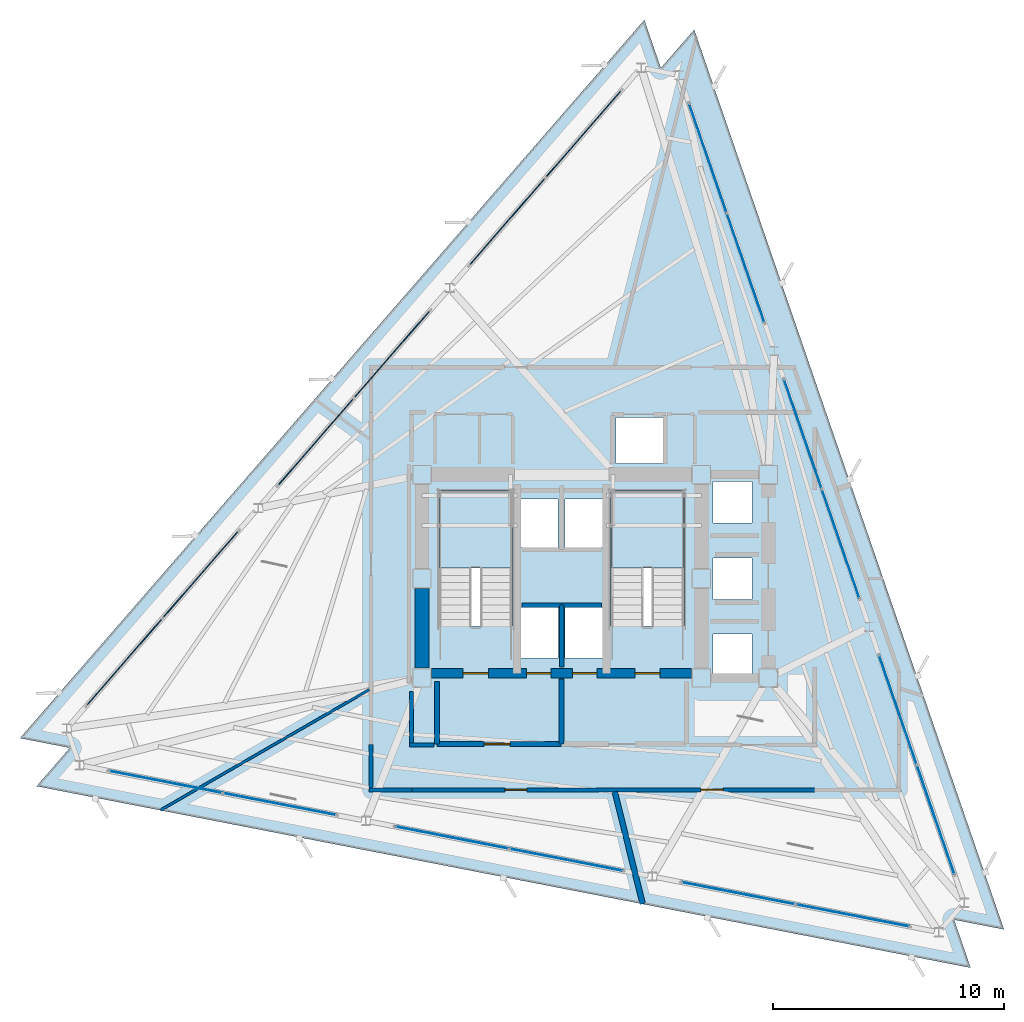
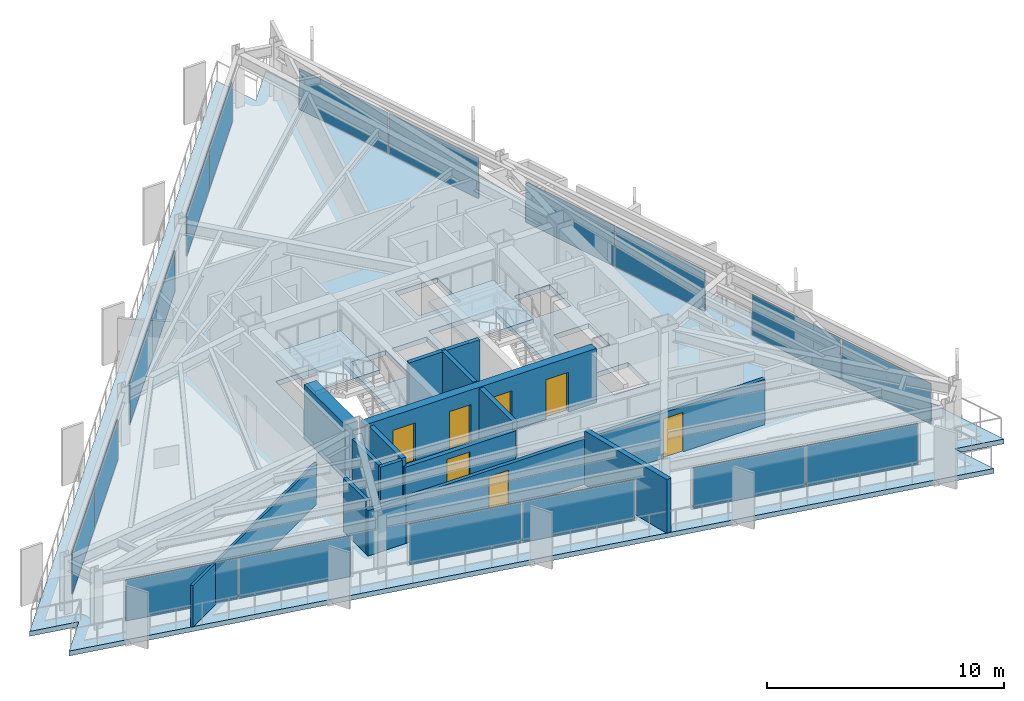
# One storey, part 8 of 13: 18 plates, 14 walls, 7 doors, 3 slabs, 7 openings, 11 elements without a shape of their own.
"""IFC4 building model written with IfcOpenShell, lengths in metres."""

from ifc_helpers import new_model, si_unit, direction, frame, frame_2d, origin, origin_2d, place, context, subcontext, project, spatial, polyline, rectangle, outline, extrude, material, layer, layer_set, type_object, element, fill, aggregate, save


model = new_model("IFC4")

# Units and contexts
model_context = context("Model", 3, precision=1e-05, world=origin(), true_north=direction((0.0, 1.0)))
body_context = subcontext(model_context, "Body", "Model", "MODEL_VIEW")
ifc_project = project(units=[si_unit("LENGTHUNIT", "METRE"), si_unit("AREAUNIT", "SQUARE_METRE"), si_unit("VOLUMEUNIT", "CUBIC_METRE"), si_unit("PLANEANGLEUNIT", "RADIAN"), si_unit("MASSUNIT", "GRAM", prefix="KILO")], contexts=[model_context])

# Site, building, storey
site_placement = place(None, origin())
site = spatial("IfcSite", under=ifc_project, at=site_placement, CompositionType="ELEMENT")
building_placement = place(site_placement, origin())
building = spatial("IfcBuilding", under=site, at=building_placement, Name="Rocaltana Carrier Exchange", CompositionType="ELEMENT")
storey_placement = place(building_placement, frame((0.0, 0.0, 150.239990234375)))
storey = spatial("IfcBuildingStorey", under=building, at=storey_placement, Name="L47", CompositionType="ELEMENT", Elevation=150.239990234375)

# Curtain wall, plates
ifc_material_1 = material(Name="Aluminium 6063-T6", Category="aluminium")
ifc_layer_1 = layer(ifc_material_1, 0.135009765625)
ifc_layer_set_1 = layer_set([ifc_layer_1], Name="Aluminium 6063-T6")
curtain_wall_type = type_object("IfcCurtainWallType", Name="Upper-Mid Acoustic Curtain Wall CW-04", PredefinedType="NOTDEFINED", material=ifc_layer_set_1)
curtain_wall_1_placement = place(storey_placement, origin())
curtain_wall_1 = element("IfcCurtainWall", 1, at=curtain_wall_1_placement, inside=storey, type_object=curtain_wall_type, Name="L47 CW-04 Run CW-L47-F1S1", PredefinedType="NOTDEFINED")
ifc_material_2 = material(Name="Tempered Laminated Glass", Category="glass")
ifc_layer_2 = layer(ifc_material_2, 0.0380859375)
ifc_layer_set_2 = layer_set([ifc_layer_2], Name="Tempered Laminated Glass")
plate_type = type_object("IfcPlateType", Name="CW-04 Stone-Insulated Vision Panel", PredefinedType="CURTAIN_PANEL", material=ifc_layer_set_2)
plate_1_placement = place(storey_placement, frame((16.197021484375, -10.4462890625, 0.065185546875), z_axis=(0.0, 0.0, 1.0), x_axis=(-0.325558788464, 0.945521800517, 0.0)))
plate_1 = element("IfcPlate", 2, at=plate_1_placement, type_object=plate_type, Name="CW-04 panel 1.1", PredefinedType="CURTAIN_PANEL", context=body_context, shape_type="SweptSolid", body=[
    extrude(rectangle(XDim=4.96923828125, YDim=0.0380859375, at=origin_2d()), origin(), (0.0, 0.0, 1.0), 2.087890625),
])
plate_2_placement = place(storey_placement, frame((14.55810546875, -5.686279296875, 0.065185546875), z_axis=(0.0, 0.0, 1.0), x_axis=(-0.325558788464, 0.945521800517, 0.0)))
plate_2 = element("IfcPlate", 3, at=plate_2_placement, type_object=plate_type, Name="CW-04 panel 2.1", PredefinedType="CURTAIN_PANEL", context=body_context, shape_type="SweptSolid", body=[
    extrude(rectangle(XDim=4.96923828125, YDim=0.0380859375, at=origin_2d()), origin(), (0.0, 0.0, 1.0), 2.087890625),
])
aggregate(curtain_wall_1, [plate_1, plate_2])

curtain_wall_2_placement = place(storey_placement, origin())
curtain_wall_2 = element("IfcCurtainWall", 4, at=curtain_wall_2_placement, inside=storey, type_object=curtain_wall_type, Name="L47 CW-04 Run CW-L47-F1S2", PredefinedType="NOTDEFINED")
plate_3_placement = place(storey_placement, frame((12.083984375, 1.498779296875, 0.065185546875), z_axis=(0.0, 0.0, 1.0), x_axis=(-0.32556182622, 0.945520754562, 0.0)))
plate_3 = element("IfcPlate", 5, at=plate_3_placement, type_object=plate_type, Name="CW-04 panel 1.1", PredefinedType="CURTAIN_PANEL", context=body_context, shape_type="SweptSolid", body=[
    extrude(rectangle(XDim=4.96923828125, YDim=0.0380859375, at=origin_2d()), origin(), (0.0, 0.0, 1.0), 2.087890625),
])
plate_4_placement = place(storey_placement, frame((10.445068359375, 6.258544921875, 0.065185546875), z_axis=(0.0, 0.0, 1.0), x_axis=(-0.32556182622, 0.945520754562, 0.0)))
plate_4 = element("IfcPlate", 6, at=plate_4_placement, type_object=plate_type, Name="CW-04 panel 2.1", PredefinedType="CURTAIN_PANEL", context=body_context, shape_type="SweptSolid", body=[
    extrude(rectangle(XDim=4.96923828125, YDim=0.0380859375, at=origin_2d()), origin(), (0.0, 0.0, 1.0), 2.087890625),
])
aggregate(curtain_wall_2, [plate_3, plate_4])

curtain_wall_3_placement = place(storey_placement, origin())
curtain_wall_3 = element("IfcCurtainWall", 7, at=curtain_wall_3_placement, inside=storey, type_object=curtain_wall_type, Name="L47 CW-04 Run CW-L47-F1S3", PredefinedType="NOTDEFINED")
plate_5_placement = place(storey_placement, frame((7.970947265625, 13.44384765625, 0.065185546875), z_axis=(0.0, 0.0, 1.0), x_axis=(-0.325558788464, 0.945521800517, 0.0)))
plate_5 = element("IfcPlate", 8, at=plate_5_placement, type_object=plate_type, Name="CW-04 panel 1.1", PredefinedType="CURTAIN_PANEL", context=body_context, shape_type="SweptSolid", body=[
    extrude(rectangle(XDim=4.96923828125, YDim=0.0380859375, at=origin_2d()), origin(), (0.0, 0.0, 1.0), 2.087890625),
])
plate_6_placement = place(storey_placement, frame((6.33203125, 18.20361328125, 0.065185546875), z_axis=(0.0, 0.0, 1.0), x_axis=(-0.325558788464, 0.945521800517, 0.0)))
plate_6 = element("IfcPlate", 9, at=plate_6_placement, type_object=plate_type, Name="CW-04 panel 2.1", PredefinedType="CURTAIN_PANEL", context=body_context, shape_type="SweptSolid", body=[
    extrude(rectangle(XDim=4.96923828125, YDim=0.0380859375, at=origin_2d()), origin(), (0.0, 0.0, 1.0), 2.087890625),
])
aggregate(curtain_wall_3, [plate_5, plate_6])

curtain_wall_4_placement = place(storey_placement, origin())
curtain_wall_4 = element("IfcCurtainWall", 10, at=curtain_wall_4_placement, inside=storey, type_object=curtain_wall_type, Name="L47 CW-04 Run CW-L47-F2S1", PredefinedType="NOTDEFINED")
plate_7_placement = place(storey_placement, frame((0.9482421875, 19.250244140625, 0.065185546875), z_axis=(0.0, 0.0, 1.0), x_axis=(-0.656056545375, -0.75471173919, 0.0)))
plate_7 = element("IfcPlate", 11, at=plate_7_placement, type_object=plate_type, Name="CW-04 panel 1.1", PredefinedType="CURTAIN_PANEL", context=body_context, shape_type="SweptSolid", body=[
    extrude(rectangle(XDim=4.96923828125, YDim=0.0380859375, at=origin_2d()), origin(), (0.0, 0.0, 1.0), 2.087890625),
])
plate_8_placement = place(storey_placement, frame((-2.3544921875, 15.450927734375, 0.065185546875), z_axis=(0.0, 0.0, 1.0), x_axis=(-0.656056545375, -0.75471173919, 0.0)))
plate_8 = element("IfcPlate", 12, at=plate_8_placement, type_object=plate_type, Name="CW-04 panel 2.1", PredefinedType="CURTAIN_PANEL", context=body_context, shape_type="SweptSolid", body=[
    extrude(rectangle(XDim=4.96923828125, YDim=0.0380859375, at=origin_2d()), origin(), (0.0, 0.0, 1.0), 2.087890625),
])
aggregate(curtain_wall_4, [plate_7, plate_8])

curtain_wall_5_placement = place(storey_placement, origin())
curtain_wall_5 = element("IfcCurtainWall", 13, at=curtain_wall_5_placement, inside=storey, type_object=curtain_wall_type, Name="L47 CW-04 Run CW-L47-F2S2", PredefinedType="NOTDEFINED")
plate_9_placement = place(storey_placement, frame((-7.33984375, 9.7158203125, 0.065185546875), z_axis=(0.0, 0.0, 1.0), x_axis=(-0.656056545375, -0.75471173919, 0.0)))
plate_9 = element("IfcPlate", 14, at=plate_9_placement, type_object=plate_type, Name="CW-04 panel 1.1", PredefinedType="CURTAIN_PANEL", context=body_context, shape_type="SweptSolid", body=[
    extrude(rectangle(XDim=4.96923828125, YDim=0.0380859375, at=origin_2d()), origin(), (0.0, 0.0, 1.0), 2.087890625),
])
plate_10_placement = place(storey_placement, frame((-10.642578125, 5.91650390625, 0.065185546875), z_axis=(0.0, 0.0, 1.0), x_axis=(-0.656056545375, -0.75471173919, 0.0)))
plate_10 = element("IfcPlate", 15, at=plate_10_placement, type_object=plate_type, Name="CW-04 panel 2.1", PredefinedType="CURTAIN_PANEL", context=body_context, shape_type="SweptSolid", body=[
    extrude(rectangle(XDim=4.96923828125, YDim=0.0380859375, at=origin_2d()), origin(), (0.0, 0.0, 1.0), 2.087890625),
])
aggregate(curtain_wall_5, [plate_9, plate_10])

curtain_wall_6_placement = place(storey_placement, origin())
curtain_wall_6 = element("IfcCurtainWall", 16, at=curtain_wall_6_placement, inside=storey, type_object=curtain_wall_type, Name="L47 CW-04 Run CW-L47-F2S3", PredefinedType="NOTDEFINED")
plate_11_placement = place(storey_placement, frame((-15.628173828125, 0.18115234375, 0.065185546875), z_axis=(0.0, 0.0, 1.0), x_axis=(-0.656056545375, -0.75471173919, 0.0)))
plate_11 = element("IfcPlate", 17, at=plate_11_placement, type_object=plate_type, Name="CW-04 panel 1.1", PredefinedType="CURTAIN_PANEL", context=body_context, shape_type="SweptSolid", body=[
    extrude(rectangle(XDim=4.96923828125, YDim=0.0380859375, at=origin_2d()), origin(), (0.0, 0.0, 1.0), 2.087890625),
])
plate_12_placement = place(storey_placement, frame((-18.930908203125, -3.6181640625, 0.065185546875), z_axis=(0.0, 0.0, 1.0), x_axis=(-0.656056545375, -0.75471173919, 0.0)))
plate_12 = element("IfcPlate", 18, at=plate_12_placement, type_object=plate_type, Name="CW-04 panel 2.1", PredefinedType="CURTAIN_PANEL", context=body_context, shape_type="SweptSolid", body=[
    extrude(rectangle(XDim=4.96923828125, YDim=0.0380859375, at=origin_2d()), origin(), (0.0, 0.0, 1.0), 2.087890625),
])
aggregate(curtain_wall_6, [plate_11, plate_12])

curtain_wall_7_placement = place(storey_placement, origin())
curtain_wall_7 = element("IfcCurtainWall", 19, at=curtain_wall_7_placement, inside=storey, type_object=curtain_wall_type, Name="L47 CW-04 Run CW-L47-F3S1", PredefinedType="NOTDEFINED")
plate_13_placement = place(storey_placement, frame((-17.145263671875, -8.803955078125, 0.065185546875), z_axis=(0.0, 0.0, 1.0), x_axis=(0.981628278569, -0.190803361378, 0.0)))
plate_13 = element("IfcPlate", 20, at=plate_13_placement, type_object=plate_type, Name="CW-04 panel 1.1", PredefinedType="CURTAIN_PANEL", context=body_context, shape_type="SweptSolid", body=[
    extrude(rectangle(XDim=4.96923828125, YDim=0.0380859375, at=origin_2d()), origin(), (0.0, 0.0, 1.0), 2.087890625),
])
plate_14_placement = place(storey_placement, frame((-12.20361328125, -9.764404296875, 0.065185546875), z_axis=(0.0, 0.0, 1.0), x_axis=(0.981628278569, -0.190803361378, 0.0)))
plate_14 = element("IfcPlate", 21, at=plate_14_placement, type_object=plate_type, Name="CW-04 panel 2.1", PredefinedType="CURTAIN_PANEL", context=body_context, shape_type="SweptSolid", body=[
    extrude(rectangle(XDim=4.96923828125, YDim=0.0380859375, at=origin_2d()), origin(), (0.0, 0.0, 1.0), 2.087890625),
])
aggregate(curtain_wall_7, [plate_13, plate_14])

curtain_wall_8_placement = place(storey_placement, origin())
curtain_wall_8 = element("IfcCurtainWall", 22, at=curtain_wall_8_placement, inside=storey, type_object=curtain_wall_type, Name="L47 CW-04 Run CW-L47-F3S2", PredefinedType="NOTDEFINED")
plate_15_placement = place(storey_placement, frame((-4.744140625, -11.21435546875, 0.065185546875), z_axis=(0.0, 0.0, 1.0), x_axis=(0.981626070913, -0.190814718784, 0.0)))
plate_15 = element("IfcPlate", 23, at=plate_15_placement, type_object=plate_type, Name="CW-04 panel 1.1", PredefinedType="CURTAIN_PANEL", context=body_context, shape_type="SweptSolid", body=[
    extrude(rectangle(XDim=4.96923828125, YDim=0.0380859375, at=origin_2d()), origin(), (0.0, 0.0, 1.0), 2.087890625),
])
plate_16_placement = place(storey_placement, frame((0.19775390625, -12.175048828125, 0.065185546875), z_axis=(0.0, 0.0, 1.0), x_axis=(0.981626070913, -0.190814718784, 0.0)))
plate_16 = element("IfcPlate", 24, at=plate_16_placement, type_object=plate_type, Name="CW-04 panel 2.1", PredefinedType="CURTAIN_PANEL", context=body_context, shape_type="SweptSolid", body=[
    extrude(rectangle(XDim=4.96923828125, YDim=0.0380859375, at=origin_2d()), origin(), (0.0, 0.0, 1.0), 2.087890625),
])
aggregate(curtain_wall_8, [plate_15, plate_16])

curtain_wall_9_placement = place(storey_placement, origin())
curtain_wall_9 = element("IfcCurtainWall", 25, at=curtain_wall_9_placement, inside=storey, type_object=curtain_wall_type, Name="L47 CW-04 Run CW-L47-F3S3", PredefinedType="NOTDEFINED")
plate_17_placement = place(storey_placement, frame((7.6572265625, -13.625, 0.065185546875), z_axis=(0.0, 0.0, 1.0), x_axis=(0.981627919301, -0.190805209699, 0.0)))
plate_17 = element("IfcPlate", 26, at=plate_17_placement, type_object=plate_type, Name="CW-04 panel 1.1", PredefinedType="CURTAIN_PANEL", context=body_context, shape_type="SweptSolid", body=[
    extrude(rectangle(XDim=4.96923828125, YDim=0.0380859375, at=origin_2d()), origin(), (0.0, 0.0, 1.0), 2.087890625),
])
plate_18_placement = place(storey_placement, frame((12.598876953125, -14.58544921875, 0.065185546875), z_axis=(0.0, 0.0, 1.0), x_axis=(0.981627919301, -0.190805209699, 0.0)))
plate_18 = element("IfcPlate", 27, at=plate_18_placement, type_object=plate_type, Name="CW-04 panel 2.1", PredefinedType="CURTAIN_PANEL", context=body_context, shape_type="SweptSolid", body=[
    extrude(rectangle(XDim=4.96923828125, YDim=0.0380859375, at=origin_2d()), origin(), (0.0, 0.0, 1.0), 2.087890625),
])
aggregate(curtain_wall_9, [plate_17, plate_18])

# Slab
ifc_material_3 = material(Name="Concrete C50/60", Category="concrete")
ifc_layer_3 = layer(ifc_material_3, 0.25)
ifc_layer_set_3 = layer_set([ifc_layer_3], Name="Concrete C50/60")
slab_type_1 = type_object("IfcSlabType", Name="Mid-Zone Tower Slab 250", PredefinedType="FLOOR", material=ifc_layer_set_3)
slab_1_placement = place(storey_placement, frame((0.0, 0.0, -0.25)))
element("IfcSlab", 28, at=slab_1_placement, inside=storey, type_object=slab_type_1, Name="L47 Structural Floor Slab", PredefinedType="FLOOR", context=body_context, shape_type="SweptSolid", body=[
    extrude(outline(polyline([(17.709716796875, -16.852294921875), (16.993408203125, -14.772216796875), (19.153076171875, -15.19189453125), (5.73974609375, 23.76318359375), (4.29638671875, 22.10302734375), (3.580078125, 24.18310546875), (-23.449462890625, -6.910888671875), (-21.289794921875, -7.330810546875), (-22.7333984375, -8.9912109375), (17.709716796875, -16.852294921875)]), holes=[polyline([(-5.300048828125, -2.06005859375), (-2.139892578125, -2.06005859375), (-2.139892578125, 3.800048828125), (-5.300048828125, 3.800048828125), (-5.300048828125, -2.06005859375)]), polyline([(2.139892578125, -2.06005859375), (5.300048828125, -2.06005859375), (5.300048828125, 3.800048828125), (2.139892578125, 3.800048828125), (2.139892578125, -2.06005859375)]), polyline([(-1.85009765625, -3.449951171875), (-0.14990234375, -3.449951171875), (-0.14990234375, -1.25), (-1.85009765625, -1.25), (-1.85009765625, -3.449951171875)]), polyline([(0.14990234375, -3.449951171875), (1.85009765625, -3.449951171875), (1.85009765625, -1.25), (0.14990234375, -1.25), (0.14990234375, -3.449951171875)]), polyline([(2.35009765625, 4.97998046875), (4.39990234375, 4.97998046875), (4.39990234375, 6.97998046875), (2.35009765625, 6.97998046875), (2.35009765625, 4.97998046875)]), polyline([(-1.85009765625, 1.35009765625), (-0.14990234375, 1.35009765625), (-0.14990234375, 3.449951171875), (-1.85009765625, 3.449951171875), (-1.85009765625, 1.35009765625)]), polyline([(0.14990234375, 1.35009765625), (1.85009765625, 1.35009765625), (1.85009765625, 3.449951171875), (0.14990234375, 3.449951171875), (0.14990234375, 1.35009765625)]), polyline([(6.550048828125, -4.199951171875), (8.25, -4.199951171875), (8.25, -2.39990234375), (6.550048828125, -2.39990234375), (6.550048828125, -4.199951171875)]), polyline([(6.550048828125, -0.89990234375), (8.25, -0.89990234375), (8.25, 0.89990234375), (6.550048828125, 0.89990234375), (6.550048828125, -0.89990234375)]), polyline([(6.550048828125, 2.39990234375), (8.25, 2.39990234375), (8.25, 4.199951171875), (6.550048828125, 4.199951171875), (6.550048828125, 2.39990234375)])]), origin(), (0.0, 0.0, 1.0), 0.25),
])

# Stair, slab
ifc_material_4 = material(Name="Precast concrete C45/55", Category="concrete")
stair_type = type_object("IfcStairType", Name="Standard Dog-Leg Stair 160", PredefinedType="HALF_TURN_STAIR", material=ifc_material_4)
stair_1_placement = place(storey_placement, origin())
stair_1 = element("IfcStair", 29, at=stair_1_placement, inside=storey, type_object=stair_type, Name="L47 Core West Exit Stair ST-1", PredefinedType="HALF_TURN_STAIR")
ifc_material_5 = material(Name="Precast concrete C45/55", Category="concrete")
ifc_layer_4 = layer(ifc_material_5, 0.199951171875)
ifc_layer_set_4 = layer_set([ifc_layer_4], Name="Precast concrete C45/55")
slab_type_2 = type_object("IfcSlabType", Name="Precast Stair Half-Landing 200", PredefinedType="LANDING", material=ifc_layer_set_4)
slab_2_placement = place(storey_placement, frame((0.0, 0.0, 1.320068359375)))
slab_2 = element("IfcSlab", 30, at=slab_2_placement, type_object=slab_type_2, Name="ST-1 landing 1", PredefinedType="LANDING", context=body_context, shape_type="SweptSolid", body=[
    extrude(outline(polyline([(-2.139892578125, 0.4599609375), (-2.139892578125, 3.800048828125), (-5.300048828125, 3.800048828125), (-5.300048828125, 0.4599609375), (-2.139892578125, 0.4599609375)])), origin(), (0.0, 0.0, 1.0), 0.199951171875),
])
aggregate(stair_1, [slab_2])

stair_2_placement = place(storey_placement, origin())
stair_2 = element("IfcStair", 31, at=stair_2_placement, inside=storey, type_object=stair_type, Name="L47 Core East Exit Stair ST-2", PredefinedType="HALF_TURN_STAIR")
slab_3_placement = place(storey_placement, frame((0.0, 0.0, 1.320068359375)))
slab_3 = element("IfcSlab", 32, at=slab_3_placement, type_object=slab_type_2, Name="ST-2 landing 1", PredefinedType="LANDING", context=body_context, shape_type="SweptSolid", body=[
    extrude(outline(polyline([(5.300048828125, 0.4599609375), (5.300048828125, 3.800048828125), (2.139892578125, 3.800048828125), (2.139892578125, 0.4599609375), (5.300048828125, 0.4599609375)])), origin(), (0.0, 0.0, 1.0), 0.199951171875),
])
aggregate(stair_2, [slab_3])

# Wall, openings, doors
ifc_material_6 = material(Name="Concrete C50/60", Category="concrete")
ifc_layer_5 = layer(ifc_material_6, 0.39990234375)
ifc_layer_set_5 = layer_set([ifc_layer_5], Name="Concrete C50/60")
wall_type_1 = type_object("IfcWallType", Name="Core Internal Shear Wall 400", PredefinedType="SHEAR", material=ifc_layer_set_5)
wall_1_placement = place(storey_placement, frame((-5.625, -4.10009765625, 0.0), z_axis=(0.0, 0.0, 1.0), x_axis=(1.0, 0.0, 0.0)))
wall_1 = element("IfcWall", 33, at=wall_1_placement, inside=storey, type_object=wall_type_1, Name="L47 Core Shear Wall CW-S", PredefinedType="SHEAR", context=body_context, shape_type="SweptSolid", body=[
    extrude(rectangle(XDim=11.25, YDim=0.39990234375, at=frame_2d((5.625, 0.0))), origin(), (0.0, 0.0, 1.0), 2.7880859375),
])
opening_1_placement = place(wall_1_placement, frame((1.35498046875, 0.0, 0.0)))
opening_1 = element("IfcOpeningElement", 34, at=opening_1_placement, cuts=wall_1, Name="Opening D-ST110", PredefinedType="OPENING", context=body_context, shape_type="SweptSolid", body=[
    extrude(rectangle(XDim=1.10009765625, YDim=2.0400390625, at=frame_2d((0.550048828125, 1.02001953125))), frame((0.0, 0.2099609375, 0.0), z_axis=(0.0, -1.0, 0.0), x_axis=(1.0, 0.0, 0.0)), (0.0, 0.0, 1.0), 0.419921875),
])
opening_2_placement = place(wall_1_placement, frame((8.794921875, 0.0, 0.0)))
opening_2 = element("IfcOpeningElement", 35, at=opening_2_placement, cuts=wall_1, Name="Opening D-ST110", PredefinedType="OPENING", context=body_context, shape_type="SweptSolid", body=[
    extrude(rectangle(XDim=1.10009765625, YDim=2.0400390625, at=frame_2d((0.550048828125, 1.02001953125))), frame((0.0, 0.2099609375, 0.0), z_axis=(0.0, -1.0, 0.0), x_axis=(1.0, 0.0, 0.0)), (0.0, 0.0, 1.0), 0.419921875),
])
opening_3_placement = place(wall_1_placement, frame((4.094970703125, 0.0, 0.0)))
opening_3 = element("IfcOpeningElement", 36, at=opening_3_placement, cuts=wall_1, Name="Opening LD-110", PredefinedType="OPENING", context=body_context, shape_type="SweptSolid", body=[
    extrude(rectangle(XDim=1.06005859375, YDim=2.0400390625, at=frame_2d((0.530029296875, 1.02001953125))), frame((0.0, 0.2099609375, 0.0), z_axis=(0.0, -1.0, 0.0), x_axis=(1.0, 0.0, 0.0)), (0.0, 0.0, 1.0), 0.419921875),
])
opening_4_placement = place(wall_1_placement, frame((6.094970703125, 0.0, 0.0)))
opening_4 = element("IfcOpeningElement", 37, at=opening_4_placement, cuts=wall_1, Name="Opening LD-110", PredefinedType="OPENING", context=body_context, shape_type="SweptSolid", body=[
    extrude(rectangle(XDim=1.06005859375, YDim=2.0400390625, at=frame_2d((0.530029296875, 1.02001953125))), frame((0.0, 0.2099609375, 0.0), z_axis=(0.0, -1.0, 0.0), x_axis=(1.0, 0.0, 0.0)), (0.0, 0.0, 1.0), 0.419921875),
])
ifc_material_7 = material(Name="Hollow Metal Fire Door Assembly", Category="steel")
door_type_1 = type_object("IfcDoorType", Name="Exit Stair Fire Door 1100x2040 FD90S", OperationType="NOTDEFINED", PredefinedType="DOOR", material=ifc_material_7)
door_1_placement = place(opening_1_placement, origin())
door_1 = element("IfcDoor", 38, at=door_1_placement, inside=storey, type_object=door_type_1, Name="L47 Exit Stair ST1 Fire Door", OperationType="SINGLE_SWING_RIGHT", OverallHeight=2.0400390625, OverallWidth=1.10009765625, PredefinedType="DOOR", context=body_context, shape_type="SweptSolid", body=[
    extrude(rectangle(XDim=1.10009765625, YDim=2.0400390625, at=frame_2d((0.550048828125, 1.02001953125))), frame((0.0, 0.02490234375, 0.0), z_axis=(0.0, -1.0, 0.0), x_axis=(1.0, 0.0, 0.0)), (0.0, 0.0, 1.0), 0.050048828125),
])
fill(opening_1, door_1)
door_2_placement = place(opening_2_placement, origin())
door_2 = element("IfcDoor", 39, at=door_2_placement, inside=storey, type_object=door_type_1, Name="L47 Exit Stair ST2 Fire Door", OperationType="SINGLE_SWING_LEFT", OverallHeight=2.0400390625, OverallWidth=1.10009765625, PredefinedType="DOOR", context=body_context, shape_type="SweptSolid", body=[
    extrude(rectangle(XDim=1.10009765625, YDim=2.0400390625, at=frame_2d((0.550048828125, 1.02001953125))), frame((0.0, 0.02490234375, 0.0), z_axis=(0.0, -1.0, 0.0), x_axis=(1.0, 0.0, 0.0)), (0.0, 0.0, 1.0), 0.050048828125),
])
fill(opening_2, door_2)
ifc_material_8 = material(Name="Brushed Stainless Sliding Door Leaf", Category="steel")
door_type_2 = type_object("IfcDoorType", Name="Lift Landing Sliding Door 1060x2040", OperationType="NOTDEFINED", PredefinedType="DOOR", material=ifc_material_8)
door_3_placement = place(opening_3_placement, origin())
door_3 = element("IfcDoor", 40, at=door_3_placement, inside=storey, type_object=door_type_2, Name="L47 Firefighting Lift FFL1 Landing Door", OperationType="SLIDING_TO_LEFT", OverallHeight=2.0400390625, OverallWidth=1.06005859375, PredefinedType="DOOR", context=body_context, shape_type="SweptSolid", body=[
    extrude(rectangle(XDim=1.06005859375, YDim=2.0400390625, at=frame_2d((0.530029296875, 1.02001953125))), frame((0.0, 0.02490234375, 0.0), z_axis=(0.0, -1.0, 0.0), x_axis=(1.0, 0.0, 0.0)), (0.0, 0.0, 1.0), 0.050048828125),
])
fill(opening_3, door_3)
door_4_placement = place(opening_4_placement, origin())
door_4 = element("IfcDoor", 41, at=door_4_placement, inside=storey, type_object=door_type_2, Name="L47 Firefighting Lift FFL2 Landing Door", OperationType="SLIDING_TO_RIGHT", OverallHeight=2.0400390625, OverallWidth=1.06005859375, PredefinedType="DOOR", context=body_context, shape_type="SweptSolid", body=[
    extrude(rectangle(XDim=1.06005859375, YDim=2.0400390625, at=frame_2d((0.530029296875, 1.02001953125))), frame((0.0, 0.02490234375, 0.0), z_axis=(0.0, -1.0, 0.0), x_axis=(1.0, 0.0, 0.0)), (0.0, 0.0, 1.0), 0.050048828125),
])
fill(opening_4, door_4)

# Walls
ifc_material_9 = material(Name="Concrete C50/60", Category="concrete")
ifc_layer_6 = layer(ifc_material_9, 0.60009765625)
ifc_layer_set_6 = layer_set([ifc_layer_6], Name="Concrete C50/60")
wall_type_2 = type_object("IfcWallType", Name="Core Shear Wall 600", PredefinedType="SHEAR", material=ifc_layer_set_6)
wall_2_placement = place(storey_placement, frame((-6.050048828125, -3.875, 0.0), z_axis=(0.0, 0.0, 1.0), x_axis=(0.0, 1.0, 0.0)))
element("IfcWall", 42, at=wall_2_placement, inside=storey, type_object=wall_type_2, Name="L47 Core Shear Wall CW-WS", PredefinedType="SHEAR", context=body_context, shape_type="SweptSolid", body=[
    extrude(rectangle(XDim=3.449951171875, YDim=0.60009765625, at=frame_2d((1.72509765625, 0.0))), origin(), (0.0, 0.0, 1.0), 2.7880859375),
])
ifc_material_10 = material(Name="Gypsum & Steel Stud Partition", Category="steel")
ifc_layer_7 = layer(ifc_material_10, 0.179931640625)
ifc_layer_set_7 = layer_set([ifc_layer_7], Name="Gypsum & Steel Stud Partition")
wall_type_3 = type_object("IfcWallType", Name="Corridor Fire Partition 180 EI60", PredefinedType="PARTITIONING", material=ifc_layer_set_7)
wall_3_placement = place(storey_placement, frame((-6.47998046875, -9.14990234375, 0.0), z_axis=(0.0, 0.0, 1.0), x_axis=(-1.0, 0.0, 0.0)))
element("IfcWall", 43, at=wall_3_placement, inside=storey, type_object=wall_type_3, Name="L47 Corridor Partition 1", PredefinedType="PARTITIONING", context=body_context, shape_type="SweptSolid", body=[
    extrude(rectangle(XDim=1.860107421875, YDim=0.179931640625, at=frame_2d((0.93017578125, 0.0))), origin(), (0.0, 0.0, 1.0), 2.330078125),
])
wall_4_placement = place(storey_placement, frame((-8.25, -9.06005859375, 0.0), z_axis=(0.0, 0.0, 1.0), x_axis=(0.0, 1.0, 0.0)))
element("IfcWall", 44, at=wall_4_placement, inside=storey, type_object=wall_type_3, Name="L47 Corridor Partition 2", PredefinedType="PARTITIONING", context=body_context, shape_type="SweptSolid", body=[
    extrude(rectangle(XDim=1.880126953125, YDim=0.179931640625, at=frame_2d((0.93994140625, 0.0))), origin(), (0.0, 0.0, 1.0), 2.762939453125),
])
wall_5_placement = place(storey_placement, frame((-6.5, -4.8798828125, 0.0), z_axis=(0.0, 0.0, 1.0), x_axis=(0.0, -1.0, 0.0)))
element("IfcWall", 45, at=wall_5_placement, inside=storey, type_object=wall_type_3, Name="L47 Corridor Partition 12", PredefinedType="PARTITIONING", context=body_context, shape_type="SweptSolid", body=[
    extrude(rectangle(XDim=2.230224609375, YDim=0.179931640625, at=frame_2d((1.115234375, 0.0))), origin(), (0.0, 0.0, 1.0), 2.762939453125),
])
wall_6_placement = place(storey_placement, frame((-6.590087890625, -7.199951171875, 0.0), z_axis=(0.0, 0.0, 1.0), x_axis=(1.0, 0.0, 0.0)))
element("IfcWall", 46, at=wall_6_placement, inside=storey, type_object=wall_type_3, Name="L47 Corridor Partition 13", PredefinedType="PARTITIONING", context=body_context, shape_type="SweptSolid", body=[
    extrude(rectangle(XDim=1.06005859375, YDim=0.179931640625, at=frame_2d((0.530029296875, 0.0))), origin(), (0.0, 0.0, 1.0), 2.762939453125),
])

# Wall, openings, doors
wall_7_placement = place(storey_placement, frame((10.97998046875, -9.14990234375, 0.0), z_axis=(0.0, 0.0, 1.0), x_axis=(-1.0, 0.0, 0.0)))
wall_7 = element("IfcWall", 47, at=wall_7_placement, inside=storey, type_object=wall_type_3, Name="L47 Corridor Partition 21", PredefinedType="PARTITIONING", context=body_context, shape_type="SweptSolid", body=[
    extrude(rectangle(XDim=17.5, YDim=0.179931640625, at=frame_2d((8.75, 0.0))), origin(), (0.0, 0.0, 1.0), 2.330078125),
])
opening_5_placement = place(wall_7_placement, frame((12.480224609375, 0.0, 0.0)))
opening_5 = element("IfcOpeningElement", 48, at=opening_5_placement, cuts=wall_7, Name="Opening D-RM098", PredefinedType="OPENING", context=body_context, shape_type="SweptSolid", body=[
    extrude(rectangle(XDim=0.9599609375, YDim=2.02001953125, at=frame_2d((0.47998046875, 1.010009765625))), frame((0.0, 0.099853515625, 0.0), z_axis=(0.0, -1.0, 0.0), x_axis=(1.0, 0.0, 0.0)), (0.0, 0.0, 1.0), 0.199951171875),
])
opening_6_placement = place(wall_7_placement, frame((3.98828125, 0.0, 0.0)))
opening_6 = element("IfcOpeningElement", 49, at=opening_6_placement, cuts=wall_7, Name="Opening D-RM098", PredefinedType="OPENING", context=body_context, shape_type="SweptSolid", body=[
    extrude(rectangle(XDim=0.9599609375, YDim=2.02001953125, at=frame_2d((0.47998046875, 1.010009765625))), frame((0.0, 0.099853515625, 0.0), z_axis=(0.0, -1.0, 0.0), x_axis=(1.0, 0.0, 0.0)), (0.0, 0.0, 1.0), 0.199951171875),
])
ifc_material_11 = material(Name="Engineered Hardwood Timber", Category="wood")
door_type_3 = type_object("IfcDoorType", Name="Workspace Single Door 960x2020", OperationType="NOTDEFINED", PredefinedType="DOOR", material=ifc_material_11)
door_5_placement = place(opening_5_placement, origin())
door_5 = element("IfcDoor", 50, at=door_5_placement, inside=storey, type_object=door_type_3, Name="L47 Network Operations Office Entrance Door", OperationType="SINGLE_SWING_RIGHT", OverallHeight=2.02001953125, OverallWidth=0.9599609375, PredefinedType="DOOR", context=body_context, shape_type="SweptSolid", body=[
    extrude(rectangle(XDim=0.9599609375, YDim=2.02001953125, at=frame_2d((0.47998046875, 1.010009765625))), frame((0.0, 0.02490234375, 0.0), z_axis=(0.0, -1.0, 0.0), x_axis=(1.0, 0.0, 0.0)), (0.0, 0.0, 1.0), 0.050048828125),
])
fill(opening_5, door_5)
door_6_placement = place(opening_6_placement, origin())
door_6 = element("IfcDoor", 51, at=door_6_placement, inside=storey, type_object=door_type_3, Name="L47 Cloud Architecture Office Entrance Door", OperationType="SINGLE_SWING_LEFT", OverallHeight=2.02001953125, OverallWidth=0.9599609375, PredefinedType="DOOR", context=body_context, shape_type="SweptSolid", body=[
    extrude(rectangle(XDim=0.9599609375, YDim=2.02001953125, at=frame_2d((0.47998046875, 1.010009765625))), frame((0.0, 0.02490234375, 0.0), z_axis=(0.0, -1.0, 0.0), x_axis=(1.0, 0.0, 0.0)), (0.0, 0.0, 1.0), 0.050048828125),
])
fill(opening_6, door_6)

# Walls
ifc_material_12 = material(Name="Aluminium 6063-T6 & Acoustic Glass", Category="aluminium")
ifc_layer_8 = layer(ifc_material_12, 0.114990234375)
ifc_layer_set_8 = layer_set([ifc_layer_8], Name="Aluminium 6063-T6 & Acoustic Glass")
wall_type_4 = type_object("IfcWallType", Name="Demountable Glazed Lab Partition 115", PredefinedType="MOVABLE", material=ifc_layer_set_8)
wall_8_placement = place(storey_placement, frame((-8.330078125, -4.809326171875, 0.0), z_axis=(0.0, 0.0, 1.0), x_axis=(-0.866024997974, -0.500000702884, 0.0)))
element("IfcWall", 52, at=wall_8_placement, inside=storey, type_object=wall_type_4, Name="L47 Suite Divider Wall D1", PredefinedType="MOVABLE", context=body_context, shape_type="SweptSolid", body=[
    extrude(rectangle(XDim=10.4306640625, YDim=0.114990234375, at=frame_2d((5.21533203125, 0.0))), origin(), (0.0, 0.0, 1.0), 2.132080078125),
])
ifc_material_13 = material(Name="Autoclaved Aerated Concrete C30/37", Category="concrete")
ifc_layer_9 = layer(ifc_material_13, 0.219970703125)
ifc_layer_set_9 = layer_set([ifc_layer_9], Name="Autoclaved Aerated Concrete C30/37")
wall_type_5 = type_object("IfcWallType", Name="Firefighting Lobby Wall 220 EI120", PredefinedType="PARTITIONING", material=ifc_layer_set_9)
wall_9_placement = place(storey_placement, frame((-5.39990234375, -7.159912109375, 0.0), z_axis=(0.0, 0.0, 1.0), x_axis=(0.0, 1.0, 0.0)))
element("IfcWall", 53, at=wall_9_placement, inside=storey, type_object=wall_type_5, Name="L47 FFL Lobby 1 West Wall", PredefinedType="PARTITIONING", context=body_context, shape_type="SweptSolid", body=[
    extrude(rectangle(XDim=2.7099609375, YDim=0.219970703125, at=frame_2d((1.35498046875, 0.0))), origin(), (0.0, 0.0, 1.0), 2.762939453125),
])
wall_10_placement = place(storey_placement, frame((0.0, -7.159912109375, 0.0), z_axis=(0.0, 0.0, 1.0), x_axis=(0.0, 1.0, 0.0)))
element("IfcWall", 54, at=wall_10_placement, inside=storey, type_object=wall_type_5, Name="L47 FFL Lobby Centre Wall", PredefinedType="PARTITIONING", context=body_context, shape_type="SweptSolid", body=[
    extrude(rectangle(XDim=2.809814453125, YDim=0.219970703125, at=frame_2d((1.40478515625, 0.0))), origin(), (0.0, 0.0, 1.0), 2.762939453125),
])

# Wall, opening, door
wall_11_placement = place(storey_placement, frame((-5.39990234375, -7.159912109375, 0.0), z_axis=(0.0, 0.0, 1.0), x_axis=(1.0, 0.0, 0.0)))
wall_11 = element("IfcWall", 55, at=wall_11_placement, inside=storey, type_object=wall_type_5, Name="L47 FFL Lobby 1 South Wall", PredefinedType="PARTITIONING", context=body_context, shape_type="SweptSolid", body=[
    extrude(rectangle(XDim=5.39990234375, YDim=0.219970703125, at=frame_2d((2.699951171875, 0.0))), origin(), (0.0, 0.0, 1.0), 2.330078125),
])
opening_7_placement = place(wall_11_placement, frame((2.050048828125, 0.0, 0.0)))
opening_7 = element("IfcOpeningElement", 56, at=opening_7_placement, cuts=wall_11, Name="Opening D-FF115", PredefinedType="OPENING", context=body_context, shape_type="SweptSolid", body=[
    extrude(rectangle(XDim=1.1201171875, YDim=2.02001953125, at=frame_2d((0.56005859375, 1.010009765625))), frame((0.0, 0.119873046875, 0.0), z_axis=(0.0, -1.0, 0.0), x_axis=(1.0, 0.0, 0.0)), (0.0, 0.0, 1.0), 0.239990234375),
])
ifc_material_14 = material(Name="Hollow Metal Fire Door Assembly", Category="steel")
door_type_4 = type_object("IfcDoorType", Name="Firefighting Lobby Door 1120x2020 FD60S", OperationType="NOTDEFINED", PredefinedType="DOOR", material=ifc_material_14)
door_7_placement = place(opening_7_placement, origin())
door_7 = element("IfcDoor", 57, at=door_7_placement, inside=storey, type_object=door_type_4, Name="L47 Firefighting Lift Lobby 1 Door", OperationType="SINGLE_SWING_RIGHT", OverallHeight=2.02001953125, OverallWidth=1.1201171875, PredefinedType="DOOR", context=body_context, shape_type="SweptSolid", body=[
    extrude(rectangle(XDim=1.1201171875, YDim=2.02001953125, at=frame_2d((0.56005859375, 1.010009765625))), frame((0.0, 0.02490234375, 0.0), z_axis=(0.0, -1.0, 0.0), x_axis=(1.0, 0.0, 0.0)), (0.0, 0.0, 1.0), 0.050048828125),
])
fill(opening_7, door_7)

# Walls
ifc_material_15 = material(Name="Acoustic Calcium Silicate Partition", Category="gypsum")
ifc_layer_10 = layer(ifc_material_15, 0.239990234375)
ifc_layer_set_10 = layer_set([ifc_layer_10], Name="Acoustic Calcium Silicate Partition")
wall_type_6 = type_object("IfcWallType", Name="Heavy Lab Partition 240 EI90", PredefinedType="PARTITIONING", material=ifc_layer_set_10)
wall_12_placement = place(storey_placement, frame((2.30126953125, -9.22998046875, 0.0), z_axis=(0.0, 0.0, 1.0), x_axis=(0.241903783585, -0.970300241929, 0.0)))
element("IfcWall", 58, at=wall_12_placement, inside=storey, type_object=wall_type_6, Name="L47 Suite Divider Wall D2", PredefinedType="PARTITIONING", context=body_context, shape_type="SweptSolid", body=[
    extrude(rectangle(XDim=5.000732421875, YDim=0.239990234375, at=frame_2d((2.50048828125, 0.0))), origin(), (0.0, 0.0, 1.0), 2.762939453125),
])
ifc_material_16 = material(Name="Reinforced Concrete Block C35/45", Category="concrete")
ifc_layer_11 = layer(ifc_material_16, 0.199951171875)
ifc_layer_set_11 = layer_set([ifc_layer_11], Name="Reinforced Concrete Block C35/45")
wall_type_7 = type_object("IfcWallType", Name="Lift Hoistway Enclosure Wall 200 EI120", PredefinedType="PARTITIONING", material=ifc_layer_set_11)
wall_13_placement = place(storey_placement, frame((0.0, -3.820068359375, 0.0), z_axis=(0.0, 0.0, 1.0), x_axis=(0.0, 1.0, 0.0)))
element("IfcWall", 59, at=wall_13_placement, inside=storey, type_object=wall_type_7, Name="L47 FFL Shaft Divider", PredefinedType="PARTITIONING", context=body_context, shape_type="SweptSolid", body=[
    extrude(rectangle(XDim=2.670166015625, YDim=0.199951171875, at=frame_2d((1.3349609375, 0.0))), origin(), (0.0, 0.0, 1.0), 2.762939453125),
])
wall_14_placement = place(storey_placement, frame((-1.719970703125, -1.14990234375, 0.0), z_axis=(0.0, 0.0, 1.0), x_axis=(1.0, 0.0, 0.0)))
element("IfcWall", 60, at=wall_14_placement, inside=storey, type_object=wall_type_7, Name="L47 FFL Shaft Back Wall", PredefinedType="PARTITIONING", context=body_context, shape_type="SweptSolid", body=[
    extrude(rectangle(XDim=3.43994140625, YDim=0.199951171875, at=frame_2d((1.719970703125, 0.0))), origin(), (0.0, 0.0, 1.0), 2.762939453125),
])

save(model, "model.ifc")
